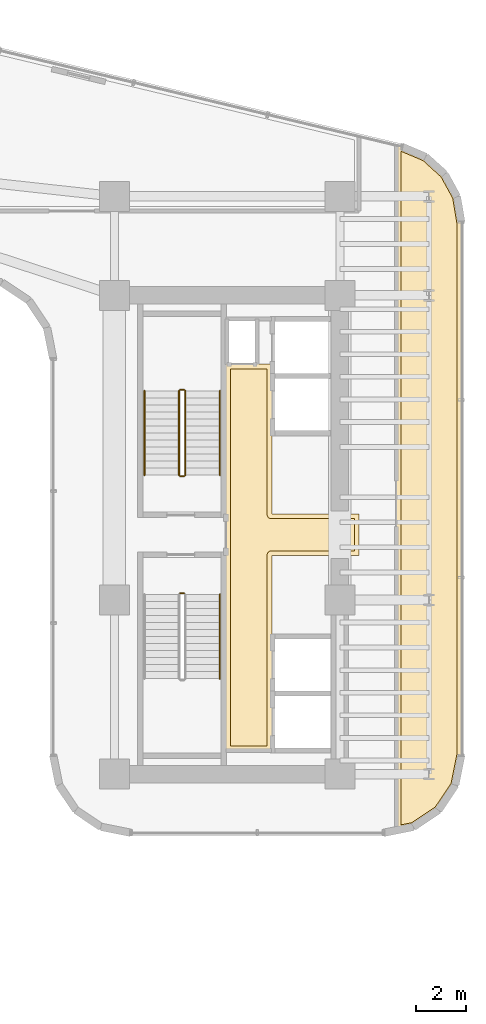
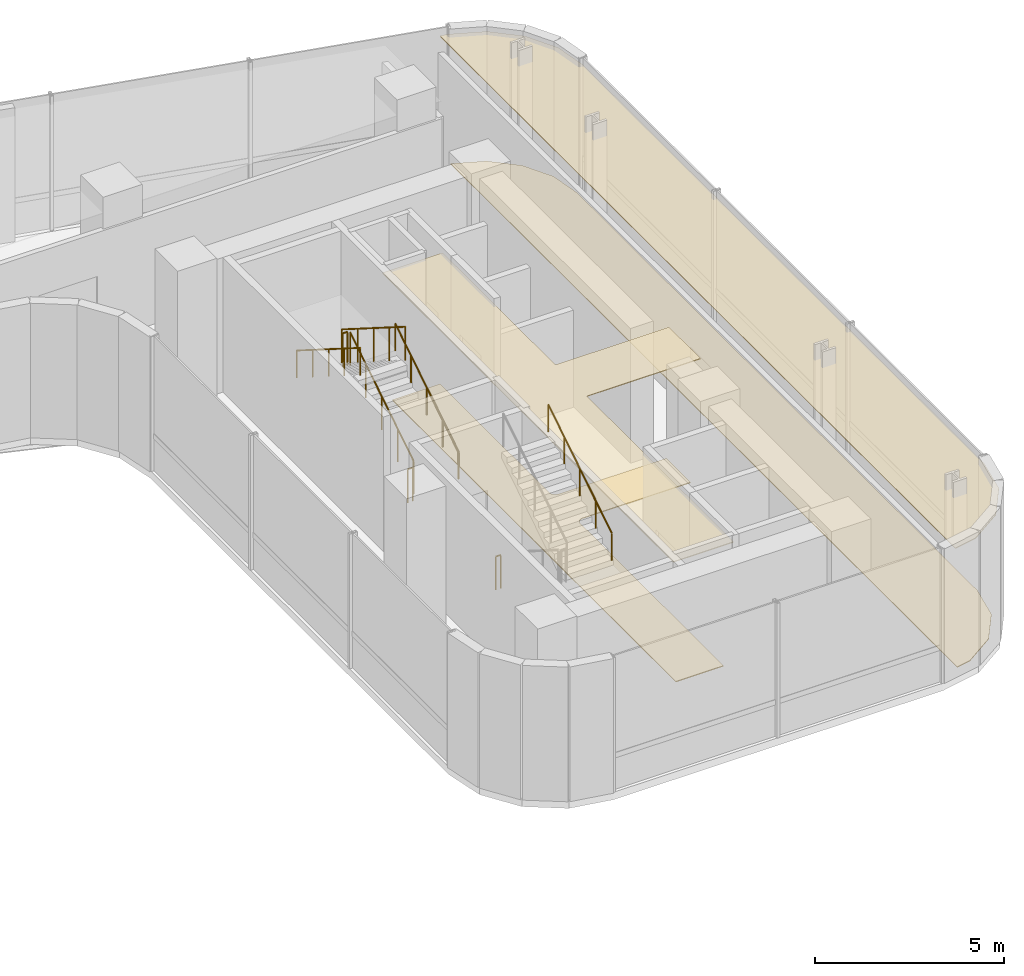
# One storey, part 31 of 32: 8 railings, 4 coverings.
"""IFC4 building model written with IfcOpenShell, lengths in metres."""

import ifcopenshell
import ifcopenshell.guid

model = None  # the IFC model being written
_history = None  # IfcOwnerHistory: only IFC2X3 demands one
_inside = {}  # id of a spatial element -> (the spatial element, [elements in it])
_under = {}  # id of a project, library or spatial element -> (it, [spatial elements below it])
_declared = {}  # id of a project -> (the project, [libraries it declares])
_typed = {}  # id of a type object -> (the type object, [elements of that type])
_made_of = {}  # id of a material, layer set ... -> (it, [elements and type objects made of it])


def new_model(schema):
    """Start an empty IFC model of exactly this schema.

    Asked for "IFC4X3", IfcOpenShell would pick the latest addendum, in which some entities
    have other attributes; the version numbers below select the first issue.
    IFC2X3 requires an IfcOwnerHistory on every rooted entity: one is made here for all.
    """
    global model, _history
    if schema == "IFC4X3":
        model = ifcopenshell.file(schema_version=(4, 3, 0, 0))
    else:
        model = ifcopenshell.file(schema=schema)
    _inside.clear()
    _under.clear()
    _declared.clear()
    _typed.clear()
    _made_of.clear()
    _history = None
    if model.schema == "IFC2X3":
        org = make("IfcOrganization", Name="unknown")
        user = make(
            "IfcPersonAndOrganization",
            ThePerson=make("IfcPerson", FamilyName="unknown"),
            TheOrganization=org,
        )
        app = make(
            "IfcApplication",
            ApplicationDeveloper=org,
            Version="unknown",
            ApplicationFullName="unknown",
            ApplicationIdentifier="unknown",
        )
        _history = make(
            "IfcOwnerHistory",
            OwningUser=user,
            OwningApplication=app,
            ChangeAction="ADDED",
            CreationDate=0,
        )
    return model


def make(cls, **values):
    """One entity of the class cls with the attributes given. An attribute that is None is left unset."""
    return model.create_entity(
        cls, **{name: value for name, value in values.items() if value is not None}
    )


def rooted(cls, **values):
    """An entity with a GlobalId (a new one), such as an element, a storey or a relation."""
    return make(cls, GlobalId=ifcopenshell.guid.new(), OwnerHistory=_history, **values)


def si_unit(unit_type, name, prefix=None):
    """IfcSIUnit, for example si_unit("LENGTHUNIT", "METRE", prefix="MILLI")."""
    return make("IfcSIUnit", UnitType=unit_type, Prefix=prefix, Name=name)


def assignment(units):
    """IfcUnitAssignment: the units of a project."""
    return None if units is None else make("IfcUnitAssignment", Units=units)


def point(xyz):
    """IfcCartesianPoint."""
    return None if xyz is None else make("IfcCartesianPoint", Coordinates=xyz)


def direction(xyz):
    """IfcDirection."""
    return None if xyz is None else make("IfcDirection", DirectionRatios=xyz)


def frame(location, z_axis=None, x_axis=None):
    """IfcAxis2Placement3D, a coordinate frame: its origin and axes. An axis left out is left unset."""
    return make(
        "IfcAxis2Placement3D",
        Location=point(location),
        Axis=direction(z_axis),
        RefDirection=direction(x_axis),
    )


def frame_2d(location, x_axis=None):
    """IfcAxis2Placement2D, a coordinate frame in the plane: its origin and x axis."""
    return make(
        "IfcAxis2Placement2D", Location=point(location), RefDirection=direction(x_axis)
    )


def origin():
    """The frame at (0, 0, 0) with its axes left unset."""
    return frame((0.0, 0.0, 0.0))


def origin_2d():
    """The frame at (0, 0) in the plane with its x axis left unset."""
    return frame_2d((0.0, 0.0))


def place(relative_to, where):
    """IfcLocalPlacement: puts the frame where relative to a parent placement (None: the world)."""
    return make(
        "IfcLocalPlacement", PlacementRelTo=relative_to, RelativePlacement=where
    )


def context(
    kind, dimensions, precision=None, world=None, true_north=None, identifier=None
):
    """IfcGeometricRepresentationContext, for example the 3D "Model" context."""
    return make(
        "IfcGeometricRepresentationContext",
        ContextIdentifier=identifier,
        ContextType=kind,
        CoordinateSpaceDimension=dimensions,
        Precision=precision,
        WorldCoordinateSystem=world,
        TrueNorth=true_north,
    )


def subcontext(parent, identifier, kind, view, scale=None):
    """IfcGeometricRepresentationSubContext, for example "Body" below "Model"."""
    return make(
        "IfcGeometricRepresentationSubContext",
        ContextIdentifier=identifier,
        ContextType=kind,
        ParentContext=parent,
        TargetScale=scale,
        TargetView=view,
    )


def project(units=None, contexts=None):
    """IfcProject with its units and contexts."""
    return rooted(
        "IfcProject",
        Name="project",
        RepresentationContexts=contexts,
        UnitsInContext=assignment(units),
    )


def spatial(cls, under=None, at=None, **own):
    """A site, building, storey or space (cls), placed at a placement, below another one or the project."""
    s = rooted(cls, ObjectPlacement=at, **own)
    if under is not None:
        _under.setdefault(under.id(), (under, []))[1].append(s)
    return s


def polyline(points):
    """IfcPolyline through the points."""
    return make("IfcPolyline", Points=[point(p) for p in points])


def profile(cls, at=None, kind="AREA", **sizes):
    """A parametric profile (cls). Its sizes go by their IFC names, for example OverallWidth=200.0."""
    return make(cls, ProfileType=kind, Position=at, **sizes)


def circle(**sizes):
    """IfcCircleProfileDef."""
    return profile("IfcCircleProfileDef", **sizes)


def outline(outer, holes=None, kind="AREA"):
    """IfcArbitraryClosedProfileDef: a profile drawn as a closed curve; with holes, ...WithVoids."""
    if holes is None:
        return make("IfcArbitraryClosedProfileDef", ProfileType=kind, OuterCurve=outer)
    return make(
        "IfcArbitraryProfileDefWithVoids",
        ProfileType=kind,
        OuterCurve=outer,
        InnerCurves=holes,
    )


def extrude(swept, where, along, depth):
    """IfcExtrudedAreaSolid: the profile swept, set in the frame where, extruded along a direction by depth."""
    return make(
        "IfcExtrudedAreaSolid",
        SweptArea=swept,
        Position=where,
        ExtrudedDirection=direction(along),
        Depth=depth,
    )


def shape(context_of_items, identifier, shape_type, items):
    """IfcShapeRepresentation: the items that make up one representation, for example the "Body"."""
    return make(
        "IfcShapeRepresentation",
        ContextOfItems=context_of_items,
        RepresentationIdentifier=identifier,
        RepresentationType=shape_type,
        Items=items,
    )


def material(Name=None, Category=None):
    """IfcMaterial."""
    return make("IfcMaterial", Name=Name, Category=Category)


def layer(
    of_material, thickness, ventilated=None, Name=None, Category=None, Priority=None
):
    """IfcMaterialLayer: one layer of a wall or slab, of a material (None: an air gap)."""
    return make(
        "IfcMaterialLayer",
        Material=of_material,
        LayerThickness=thickness,
        IsVentilated=ventilated,
        Name=Name,
        Category=Category,
        Priority=Priority,
    )


def layer_set(layers, Name=None):
    """IfcMaterialLayerSet."""
    return make("IfcMaterialLayerSet", MaterialLayers=layers, LayerSetName=Name)


def made_of(thing, what):
    """Note that an element or type object is made of a material, layer set ...; save() writes the relation."""
    if what is not None:
        _made_of.setdefault(what.id(), (what, []))[1].append(thing)
    return thing


def type_object(cls, material=None, **own):
    """A type object (cls), such as IfcWallType, which elements share."""
    return made_of(rooted(cls, **own), material)


def element(
    cls,
    number,
    at=None,
    inside=None,
    cuts=None,
    type_object=None,
    material=None,
    context=None,
    identifier="Body",
    shape_type=None,
    held_by="IfcProductDefinitionShape",
    body=None,
    shapes=None,
    **own,
):
    """One element of the class cls, such as IfcWall. Its Tag is "e" and its number.

    at: its placement. inside: the storey or other place that contains it. cuts: it is an
    opening in that element (IfcRelVoidsElement). A single representation is given by context,
    identifier, shape_type and body (its items); several are given by shapes. held_by: the class
    of the entity that holds the representations. save() writes the other relations.
    """
    e = rooted(cls, Tag="e%d" % number, ObjectPlacement=at, **own)
    if body is not None:
        shapes = [shape(context, identifier, shape_type, body)]
    if shapes is not None:
        e.Representation = make(held_by, Representations=shapes)
    if inside is not None:
        _inside.setdefault(inside.id(), (inside, []))[1].append(e)
    if cuts is not None:
        rooted(
            "IfcRelVoidsElement", RelatingBuildingElement=cuts, RelatedOpeningElement=e
        )
    if type_object is not None:
        _typed.setdefault(type_object.id(), (type_object, []))[1].append(e)
    return made_of(e, material)


def aggregate(whole, parts):
    """IfcRelAggregates: a whole, such as a stair, and the parts it consists of."""
    return rooted("IfcRelAggregates", RelatingObject=whole, RelatedObjects=parts)


def save(model, path):
    """Write the relations noted so far, then the file.

    IfcRelAggregates (storeys below a building ...), IfcRelContainedInSpatialStructure (elements
    in a storey), IfcRelDefinesByType, IfcRelAssociatesMaterial and IfcRelDeclares: one each for
    every whole, place, type object, material and project.
    """
    for whole, parts in _under.values():
        aggregate(whole, parts)
    for where, things in _inside.values():
        rooted(
            "IfcRelContainedInSpatialStructure",
            RelatedElements=things,
            RelatingStructure=where,
        )
    for kind, things in _typed.values():
        rooted("IfcRelDefinesByType", RelatedObjects=things, RelatingType=kind)
    for what, things in _made_of.values():
        rooted("IfcRelAssociatesMaterial", RelatedObjects=things, RelatingMaterial=what)
    for by, libraries in _declared.values():
        rooted("IfcRelDeclares", RelatingContext=by, RelatedDefinitions=libraries)
    model.write(path)


model = new_model("IFC4")

# Units and contexts
model_context = context("Model", 3, precision=1e-05, world=origin(), true_north=direction((0.0, 1.0)))
body_context = subcontext(model_context, "Body", "Model", "MODEL_VIEW")
ifc_project = project(units=[si_unit("LENGTHUNIT", "METRE"), si_unit("AREAUNIT", "SQUARE_METRE"), si_unit("VOLUMEUNIT", "CUBIC_METRE"), si_unit("PLANEANGLEUNIT", "RADIAN"), si_unit("MASSUNIT", "GRAM", prefix="KILO")], contexts=[model_context])

# Site, building, storey
site_placement = place(None, origin())
site = spatial("IfcSite", under=ifc_project, at=site_placement, CompositionType="ELEMENT")
building_placement = place(site_placement, origin())
building = spatial("IfcBuilding", under=site, at=building_placement, Name="Valdorenza Pilgrim Sanctuary Tower", CompositionType="ELEMENT")
storey_placement = place(building_placement, frame((0.0, 0.0, 101.10009765625)))
storey = spatial("IfcBuildingStorey", under=building, at=storey_placement, Name="L25", CompositionType="ELEMENT", Elevation=101.10009765625)

# Coverings
ifc_material_1 = material(Name="Micro-perforated acoustic mineral ceiling tile", Category="gypsum")
ifc_layer_1 = layer(ifc_material_1, 0.02490234375, Name="Micro-perforated acoustic mineral ceiling tile")
ifc_layer_set_1 = layer_set([ifc_layer_1], Name="Micro-perforated acoustic mineral ceiling tile")
covering_type_1 = type_object("IfcCoveringType", Name="COV-CLG-ACU", PredefinedType="CEILING", material=ifc_layer_set_1)
covering_1_placement = place(storey_placement, frame((0.0, 0.0, 4.059814453125)))
element("IfcCovering", 1, at=covering_1_placement, inside=storey, type_object=covering_type_1, Name="L25 Core B Passenger Lift Lobby Acoustic Ceiling", PredefinedType="CEILING", context=body_context, shape_type="SweptSolid", body=[
    extrude(outline(polyline([(20.287109375, -0.814697265625), (20.287109375, 0.814697265625), (20.28662109375, 0.815185546875), (20.2861328125, 0.81640625), (20.28564453125, 0.81787109375), (20.285400390625, 0.819091796875), (20.28515625, 0.820556640625), (20.284912109375, 0.822021484375), (20.284912109375, 6.800048828125), (20.28515625, 6.801513671875), (20.285400390625, 6.802978515625), (20.28564453125, 6.804443359375), (20.2861328125, 6.8056640625), (20.286865234375, 6.80712890625), (20.28759765625, 6.808349609375), (20.288330078125, 6.8095703125), (20.289306640625, 6.810546875), (20.29052734375, 6.8115234375), (20.291748046875, 6.8125), (20.29296875, 6.813232421875), (20.294189453125, 6.81396484375), (20.295654296875, 6.814453125), (20.297119140625, 6.814697265625), (20.298583984375, 6.81494140625), (20.300048828125, 6.81494140625), (20.347900390625, 6.81494140625), (20.349365234375, 6.81494140625), (20.350830078125, 6.814697265625), (20.352294921875, 6.814453125), (20.353515625, 6.81396484375), (20.35498046875, 6.813232421875), (20.35546875, 6.81298828125), (21.544677734375, 6.81298828125), (21.545166015625, 6.813232421875), (21.54638671875, 6.81396484375), (21.5478515625, 6.814453125), (21.54931640625, 6.814697265625), (21.550537109375, 6.81494140625), (21.552001953125, 6.81494140625), (22.1201171875, 6.81494140625), (22.12158203125, 6.81494140625), (22.122802734375, 6.814697265625), (22.12451171875, 6.814453125), (22.125732421875, 6.81396484375), (22.127197265625, 6.813232421875), (22.12841796875, 6.8125), (22.12939453125, 6.8115234375), (22.130615234375, 6.810546875), (22.131591796875, 6.8095703125), (22.132568359375, 6.808349609375), (22.13330078125, 6.80712890625), (22.1337890625, 6.8056640625), (22.134521484375, 6.804443359375), (22.134765625, 6.802978515625), (22.135009765625, 6.801513671875), (22.135009765625, 6.800048828125), (22.135009765625, 0.8349609375), (25.60009765625, 0.8349609375), (25.6015625, 0.8349609375), (25.602783203125, 0.834716796875), (25.6044921875, 0.83447265625), (25.605712890625, 0.833984375), (25.607177734375, 0.833251953125), (25.6083984375, 0.83251953125), (25.609619140625, 0.83154296875), (25.610595703125, 0.83056640625), (25.611572265625, 0.82958984375), (25.612548828125, 0.828369140625), (25.61328125, 0.8271484375), (25.614013671875, 0.82568359375), (25.614501953125, 0.824462890625), (25.61474609375, 0.822998046875), (25.614990234375, 0.821533203125), (25.614990234375, 0.820068359375), (25.614990234375, -0.820068359375), (25.614990234375, -0.821533203125), (25.61474609375, -0.822998046875), (25.614501953125, -0.824462890625), (25.614013671875, -0.82568359375), (25.61328125, -0.8271484375), (25.612548828125, -0.828369140625), (25.611572265625, -0.82958984375), (25.610595703125, -0.83056640625), (25.609619140625, -0.83154296875), (25.6083984375, -0.83251953125), (25.607177734375, -0.833251953125), (25.605712890625, -0.833984375), (25.6044921875, -0.83447265625), (25.602783203125, -0.834716796875), (25.6015625, -0.8349609375), (25.60009765625, -0.8349609375), (22.135009765625, -0.8349609375), (22.135009765625, -8.60009765625), (22.135009765625, -8.6015625), (22.134765625, -8.602783203125), (22.134521484375, -8.6044921875), (22.1337890625, -8.605712890625), (22.13330078125, -8.607177734375), (22.132568359375, -8.6083984375), (22.131591796875, -8.609619140625), (22.130615234375, -8.610595703125), (22.12939453125, -8.611572265625), (22.12841796875, -8.612548828125), (22.127197265625, -8.61328125), (22.125732421875, -8.614013671875), (22.12451171875, -8.614501953125), (22.122802734375, -8.61474609375), (22.12158203125, -8.614990234375), (22.1201171875, -8.614990234375), (20.300048828125, -8.614990234375), (20.298583984375, -8.614990234375), (20.297119140625, -8.61474609375), (20.295654296875, -8.614501953125), (20.294189453125, -8.614013671875), (20.29296875, -8.61328125), (20.291748046875, -8.612548828125), (20.29052734375, -8.611572265625), (20.289306640625, -8.610595703125), (20.288330078125, -8.609619140625), (20.28759765625, -8.6083984375), (20.286865234375, -8.607177734375), (20.2861328125, -8.605712890625), (20.28564453125, -8.6044921875), (20.285400390625, -8.602783203125), (20.28515625, -8.6015625), (20.284912109375, -8.60009765625), (20.284912109375, -0.822021484375), (20.28515625, -0.820556640625), (20.285400390625, -0.819091796875), (20.28564453125, -0.81787109375), (20.2861328125, -0.81640625), (20.28662109375, -0.815185546875), (20.287109375, -0.814697265625)])), origin(), (0.0, 0.0, 1.0), 0.025146484375),
])
covering_2_placement = place(storey_placement, frame((0.0, 0.0, 4.059814453125)))
element("IfcCovering", 2, at=covering_2_placement, inside=storey, type_object=covering_type_1, Name="L25 East Sky Retreat Lounge Acoustic Ceiling", PredefinedType="CEILING", context=body_context, shape_type="SweptSolid", body=[
    extrude(outline(polyline([(27.313720703125, 15.49755859375), (27.31494140625, 15.4970703125), (27.316162109375, 15.49658203125), (28.269775390625, 15.09130859375), (28.271240234375, 15.090576171875), (28.272705078125, 15.089599609375), (28.27392578125, 15.088623046875), (29.034912109375, 14.3994140625), (29.035888671875, 14.398193359375), (29.037109375, 14.39697265625), (29.037841796875, 14.3955078125), (29.531005859375, 13.4951171875), (29.53173828125, 13.49365234375), (29.5322265625, 13.4921875), (29.53271484375, 13.490478515625), (29.704833984375, 12.468994140625), (29.704833984375, 12.467529296875), (29.705078125, 12.46630859375), (29.705078125, -8.789306640625), (29.704833984375, -8.79052734375), (29.70458984375, -8.7919921875), (29.467529296875, -9.984619140625), (29.467041015625, -9.986083984375), (29.466552734375, -9.9873046875), (29.466064453125, -9.98876953125), (29.46533203125, -9.989990234375), (28.7958984375, -10.99169921875), (28.794921875, -10.992919921875), (28.7939453125, -10.993896484375), (28.79296875, -10.9951171875), (28.791748046875, -10.995849609375), (27.7900390625, -11.665283203125), (27.788818359375, -11.666015625), (27.787353515625, -11.66650390625), (27.785888671875, -11.6669921875), (27.78466796875, -11.66748046875), (27.102783203125, -11.802978515625), (27.1015625, -11.80322265625), (27.10009765625, -11.803466796875), (27.098388671875, -11.80322265625), (27.09716796875, -11.802978515625), (27.095703125, -11.802734375), (27.09423828125, -11.80224609375), (27.093017578125, -11.801513671875), (27.091796875, -11.80078125), (27.090576171875, -11.800048828125), (27.08935546875, -11.799072265625), (27.08837890625, -11.7978515625), (27.08740234375, -11.796630859375), (27.0869140625, -11.79541015625), (27.086181640625, -11.794189453125), (27.085693359375, -11.792724609375), (27.085205078125, -11.791259765625), (27.085205078125, -11.789794921875), (27.0849609375, -11.788330078125), (27.0849609375, 15.533203125), (27.085205078125, 15.53466796875), (27.085205078125, 15.5361328125), (27.085693359375, 15.53759765625), (27.086181640625, 15.5390625), (27.0869140625, 15.540283203125), (27.087646484375, 15.541748046875), (27.08837890625, 15.54296875), (27.089599609375, 15.5439453125), (27.0908203125, 15.544921875), (27.091796875, 15.5458984375), (27.09326171875, 15.546630859375), (27.094482421875, 15.547119140625), (27.095947265625, 15.547607421875), (27.097412109375, 15.548095703125), (27.09912109375, 15.548095703125), (27.1005859375, 15.548095703125), (27.10205078125, 15.548095703125), (27.103515625, 15.5478515625), (27.313720703125, 15.49755859375)])), origin(), (0.0, 0.0, 1.0), 0.025146484375),
])
ifc_material_2 = material(Name="Honed travertine stone flooring", Category="masonry")
ifc_layer_2 = layer(ifc_material_2, 0.030029296875, Name="Honed travertine stone flooring")
ifc_layer_set_2 = layer_set([ifc_layer_2], Name="Honed travertine stone flooring")
covering_type_2 = type_object("IfcCoveringType", Name="COV-FLR-TRV", PredefinedType="FLOORING", material=ifc_layer_set_2)
covering_3_placement = place(storey_placement, origin())
element("IfcCovering", 3, at=covering_3_placement, inside=storey, type_object=covering_type_2, Name="L25 Core B Passenger Lift Lobby Flooring", PredefinedType="FLOORING", context=body_context, shape_type="SweptSolid", body=[
    extrude(outline(polyline([(20.47998046875, 6.617919921875), (21.550048828125, 6.617919921875), (21.550537109375, 6.617919921875), (21.93994140625, 6.619384765625), (21.93994140625, 0.820068359375), (21.94091796875, 0.802490234375), (21.943603515625, 0.784912109375), (21.94775390625, 0.767578125), (21.95361328125, 0.751220703125), (21.961181640625, 0.735107421875), (21.97021484375, 0.719970703125), (21.98095703125, 0.705810546875), (21.99267578125, 0.692626953125), (22.005859375, 0.680908203125), (22.02001953125, 0.67041015625), (22.03515625, 0.661376953125), (22.051025390625, 0.65380859375), (22.067626953125, 0.647705078125), (22.0849609375, 0.6435546875), (22.102294921875, 0.640869140625), (22.1201171875, 0.639892578125), (25.419921875, 0.639892578125), (25.419921875, -0.639892578125), (22.1201171875, -0.639892578125), (22.102294921875, -0.640869140625), (22.0849609375, -0.6435546875), (22.067626953125, -0.647705078125), (22.051025390625, -0.65380859375), (22.03515625, -0.661376953125), (22.02001953125, -0.67041015625), (22.005859375, -0.680908203125), (21.99267578125, -0.692626953125), (21.98095703125, -0.705810546875), (21.97021484375, -0.719970703125), (21.961181640625, -0.735107421875), (21.95361328125, -0.751220703125), (21.94775390625, -0.767578125), (21.943603515625, -0.784912109375), (21.94091796875, -0.802490234375), (21.93994140625, -0.820068359375), (21.93994140625, -8.419921875), (20.47998046875, -8.419921875), (20.47998046875, -0.846923828125), (20.47998046875, -0.8466796875), (20.47998046875, -0.8466796875), (20.481689453125, -0.8291015625), (20.481689453125, -0.828857421875), (20.48193359375, -0.820068359375), (20.48193359375, 0.820068359375), (20.47998046875, 6.617919921875)])), origin(), (0.0, 0.0, 1.0), 0.02490234375),
])
covering_4_placement = place(storey_placement, origin())
element("IfcCovering", 4, at=covering_4_placement, inside=storey, type_object=covering_type_2, Name="L25 East Sky Retreat Lounge Flooring", PredefinedType="FLOORING", context=body_context, shape_type="SweptSolid", body=[
    extrude(outline(polyline([(27.280029296875, 15.30029296875), (28.16552734375, 14.923583984375), (28.88134765625, 14.275390625), (29.345458984375, 13.427978515625), (29.510009765625, 12.451416015625), (29.510009765625, -8.771484375), (29.283203125, -9.911376953125), (28.653564453125, -10.853515625), (27.71142578125, -11.483154296875), (27.280029296875, -11.569091796875), (27.280029296875, 15.30029296875)])), origin(), (0.0, 0.0, 1.0), 0.02490234375),
])

# Railings
ifc_material_3 = material(Name="Stainless steel Grade 316", Category="steel")
railing_type_1 = type_object("IfcRailingType", Name="RLG-GRD-1120", PredefinedType="GUARDRAIL", material=ifc_material_3)
railing_1_placement = place(storey_placement, frame((18.679931640625, 2.3798828125, 0.1767578125)))
element("IfcRailing", 5, at=railing_1_placement, inside=storey, type_object=railing_type_1, Name="L25 ST-B1 stair guard 1", PredefinedType="GUARDRAIL", context=body_context, shape_type="SweptSolid", body=[
    extrude(circle(Radius=0.02392578125, at=origin_2d()), frame((0.0, 0.0, 1.076171875), z_axis=(0.0, 0.845389635667, 0.534150132366), x_axis=(-1.0, 0.0, 0.0)), (0.0, 0.0, 1.0), 3.974609375),
    extrude(circle(Radius=0.02099609375, at=origin_2d()), origin(), (0.0, 0.0, 1.0), 1.052001953125),
    extrude(circle(Radius=0.02099609375, at=origin_2d()), frame((0.0, 0.840087890625, 0.53076171875)), (0.0, 0.0, 1.0), 1.052001953125),
    extrude(circle(Radius=0.02099609375, at=origin_2d()), frame((0.0, 1.68017578125, 1.0615234375)), (0.0, 0.0, 1.0), 1.052001953125),
    extrude(circle(Radius=0.02099609375, at=origin_2d()), frame((0.0, 2.52001953125, 1.59228515625)), (0.0, 0.0, 1.0), 1.052001953125),
    extrude(circle(Radius=0.02099609375, at=origin_2d()), frame((0.0, 3.360107421875, 2.123046875)), (0.0, 0.0, 1.0), 1.052001953125),
])
railing_2_placement = place(storey_placement, frame((18.6298828125, 5.7900390625, 2.2998046875)))
element("IfcRailing", 6, at=railing_2_placement, inside=storey, type_object=railing_type_1, Name="L25 ST-B1 stair guard 2", PredefinedType="GUARDRAIL", context=body_context, shape_type="SweptSolid", body=[
    extrude(circle(Radius=0.02392578125, at=origin_2d()), frame((0.0, 0.0, 1.076171875), z_axis=(-1.0, 0.0, 0.0), x_axis=(0.0, -1.0, 0.0)), (0.0, 0.0, 1.0), 0.14990234375),
    extrude(circle(Radius=0.02099609375, at=origin_2d()), origin(), (0.0, 0.0, 1.0), 1.052001953125),
    extrude(circle(Radius=0.02099609375, at=origin_2d()), frame((-0.14990234375, 0.0, 0.0)), (0.0, 0.0, 1.0), 1.052001953125),
])
railing_3_placement = place(storey_placement, frame((18.429931640625, 5.739990234375, 2.476806640625)))
element("IfcRailing", 7, at=railing_3_placement, inside=storey, type_object=railing_type_1, Name="L25 ST-B1 stair guard 3", PredefinedType="GUARDRAIL", context=body_context, shape_type="SweptSolid", body=[
    extrude(circle(Radius=0.02392578125, at=origin_2d()), frame((0.0, 0.0, 1.076171875), z_axis=(0.0, -0.845389635667, 0.534150132366), x_axis=(1.0, 0.0, 0.0)), (0.0, 0.0, 1.0), 3.974609375),
    extrude(circle(Radius=0.02099609375, at=origin_2d()), origin(), (0.0, 0.0, 1.0), 1.052001953125),
    extrude(circle(Radius=0.02099609375, at=origin_2d()), frame((0.0, -0.840087890625, 0.53076171875)), (0.0, 0.0, 1.0), 1.052001953125),
    extrude(circle(Radius=0.02099609375, at=origin_2d()), frame((0.0, -1.68017578125, 1.0615234375)), (0.0, 0.0, 1.0), 1.052001953125),
    extrude(circle(Radius=0.02099609375, at=origin_2d()), frame((0.0, -2.52001953125, 1.59228515625)), (0.0, 0.0, 1.0), 1.052001953125),
    extrude(circle(Radius=0.02099609375, at=origin_2d()), frame((0.0, -3.360107421875, 2.123046875)), (0.0, 0.0, 1.0), 1.052001953125),
])
railing_4_placement = place(storey_placement, frame((18.6298828125, 2.330078125, 0.0)))
element("IfcRailing", 8, at=railing_4_placement, inside=storey, type_object=railing_type_1, Name="L25 ST-B1 stair guard 4", PredefinedType="GUARDRAIL", context=body_context, shape_type="SweptSolid", body=[
    extrude(circle(Radius=0.02392578125, at=origin_2d()), frame((0.0, 0.0, 1.076171875), z_axis=(-1.0, 0.0, 0.0), x_axis=(0.0, -1.0, 0.0)), (0.0, 0.0, 1.0), 0.14990234375),
    extrude(circle(Radius=0.02099609375, at=origin_2d()), origin(), (0.0, 0.0, 1.0), 1.052001953125),
    extrude(circle(Radius=0.02099609375, at=origin_2d()), frame((-0.14990234375, 0.0, 0.0)), (0.0, 0.0, 1.0), 1.052001953125),
])
railing_5_placement = place(storey_placement, frame((18.47998046875, -2.330078125, 0.0)))
element("IfcRailing", 9, at=railing_5_placement, inside=storey, type_object=railing_type_1, Name="L25 ST-B2 stair guard 4", PredefinedType="GUARDRAIL", context=body_context, shape_type="SweptSolid", body=[
    extrude(circle(Radius=0.02392578125, at=origin_2d()), frame((0.0, 0.0, 1.076171875), z_axis=(1.0, 0.0, 0.0), x_axis=(0.0, 1.0, 0.0)), (0.0, 0.0, 1.0), 0.14990234375),
    extrude(circle(Radius=0.02099609375, at=origin_2d()), origin(), (0.0, 0.0, 1.0), 1.052001953125),
    extrude(circle(Radius=0.02099609375, at=origin_2d()), frame((0.14990234375, 0.0, 0.0)), (0.0, 0.0, 1.0), 1.052001953125),
])
ifc_material_4 = material(Name="Brushed stainless steel Grade 316", Category="steel")
railing_type_2 = type_object("IfcRailingType", Name="RLG-HND-920", PredefinedType="HANDRAIL", material=ifc_material_4)
railing_6_placement = place(storey_placement, frame((20.06005859375, 2.3798828125, 0.1767578125)))
element("IfcRailing", 10, at=railing_6_placement, inside=storey, type_object=railing_type_2, Name="L25 ST-B1 stair handrail 1", PredefinedType="HANDRAIL", context=body_context, shape_type="SweptSolid", body=[
    extrude(circle(Radius=0.02392578125, at=origin_2d()), frame((0.0, 0.0, 0.8759765625), z_axis=(0.0, 0.845389635667, 0.534150132366), x_axis=(-1.0, 0.0, 0.0)), (0.0, 0.0, 1.0), 3.974609375),
    extrude(circle(Radius=0.02099609375, at=origin_2d()), origin(), (0.0, 0.0, 1.0), 0.851806640625),
    extrude(circle(Radius=0.02099609375, at=origin_2d()), frame((0.0, 0.840087890625, 0.53076171875)), (0.0, 0.0, 1.0), 0.851806640625),
    extrude(circle(Radius=0.02099609375, at=origin_2d()), frame((0.0, 1.68017578125, 1.0615234375)), (0.0, 0.0, 1.0), 0.851806640625),
    extrude(circle(Radius=0.02099609375, at=origin_2d()), frame((0.0, 2.52001953125, 1.59228515625)), (0.0, 0.0, 1.0), 0.851806640625),
    extrude(circle(Radius=0.02099609375, at=origin_2d()), frame((0.0, 3.360107421875, 2.123046875)), (0.0, 0.0, 1.0), 0.851806640625),
])
railing_7_placement = place(storey_placement, frame((17.050048828125, 5.739990234375, 2.476806640625)))
element("IfcRailing", 11, at=railing_7_placement, inside=storey, type_object=railing_type_2, Name="L25 ST-B1 stair handrail 2", PredefinedType="HANDRAIL", context=body_context, shape_type="SweptSolid", body=[
    extrude(circle(Radius=0.02392578125, at=origin_2d()), frame((0.0, 0.0, 0.8759765625), z_axis=(0.0, -0.845389635667, 0.534150132366), x_axis=(1.0, 0.0, 0.0)), (0.0, 0.0, 1.0), 3.974609375),
    extrude(circle(Radius=0.02099609375, at=origin_2d()), origin(), (0.0, 0.0, 1.0), 0.851806640625),
    extrude(circle(Radius=0.02099609375, at=origin_2d()), frame((0.0, -0.840087890625, 0.53076171875)), (0.0, 0.0, 1.0), 0.851806640625),
    extrude(circle(Radius=0.02099609375, at=origin_2d()), frame((0.0, -1.68017578125, 1.0615234375)), (0.0, 0.0, 1.0), 0.851806640625),
    extrude(circle(Radius=0.02099609375, at=origin_2d()), frame((0.0, -2.52001953125, 1.59228515625)), (0.0, 0.0, 1.0), 0.851806640625),
    extrude(circle(Radius=0.02099609375, at=origin_2d()), frame((0.0, -3.360107421875, 2.123046875)), (0.0, 0.0, 1.0), 0.851806640625),
])
railing_8_placement = place(storey_placement, frame((20.06005859375, -5.739990234375, 2.476806640625)))
element("IfcRailing", 12, at=railing_8_placement, inside=storey, type_object=railing_type_2, Name="L25 ST-B2 stair handrail 2", PredefinedType="HANDRAIL", context=body_context, shape_type="SweptSolid", body=[
    extrude(circle(Radius=0.02392578125, at=origin_2d()), frame((0.0, 0.0, 0.8759765625), z_axis=(0.0, 0.845389635667, 0.534150132366), x_axis=(-1.0, 0.0, 0.0)), (0.0, 0.0, 1.0), 3.974609375),
    extrude(circle(Radius=0.02099609375, at=origin_2d()), origin(), (0.0, 0.0, 1.0), 0.851806640625),
    extrude(circle(Radius=0.02099609375, at=origin_2d()), frame((0.0, 0.840087890625, 0.53076171875)), (0.0, 0.0, 1.0), 0.851806640625),
    extrude(circle(Radius=0.02099609375, at=origin_2d()), frame((0.0, 1.68017578125, 1.0615234375)), (0.0, 0.0, 1.0), 0.851806640625),
    extrude(circle(Radius=0.02099609375, at=origin_2d()), frame((0.0, 2.52001953125, 1.59228515625)), (0.0, 0.0, 1.0), 0.851806640625),
    extrude(circle(Radius=0.02099609375, at=origin_2d()), frame((0.0, 3.360107421875, 2.123046875)), (0.0, 0.0, 1.0), 0.851806640625),
])

save(model, "model.ifc")
